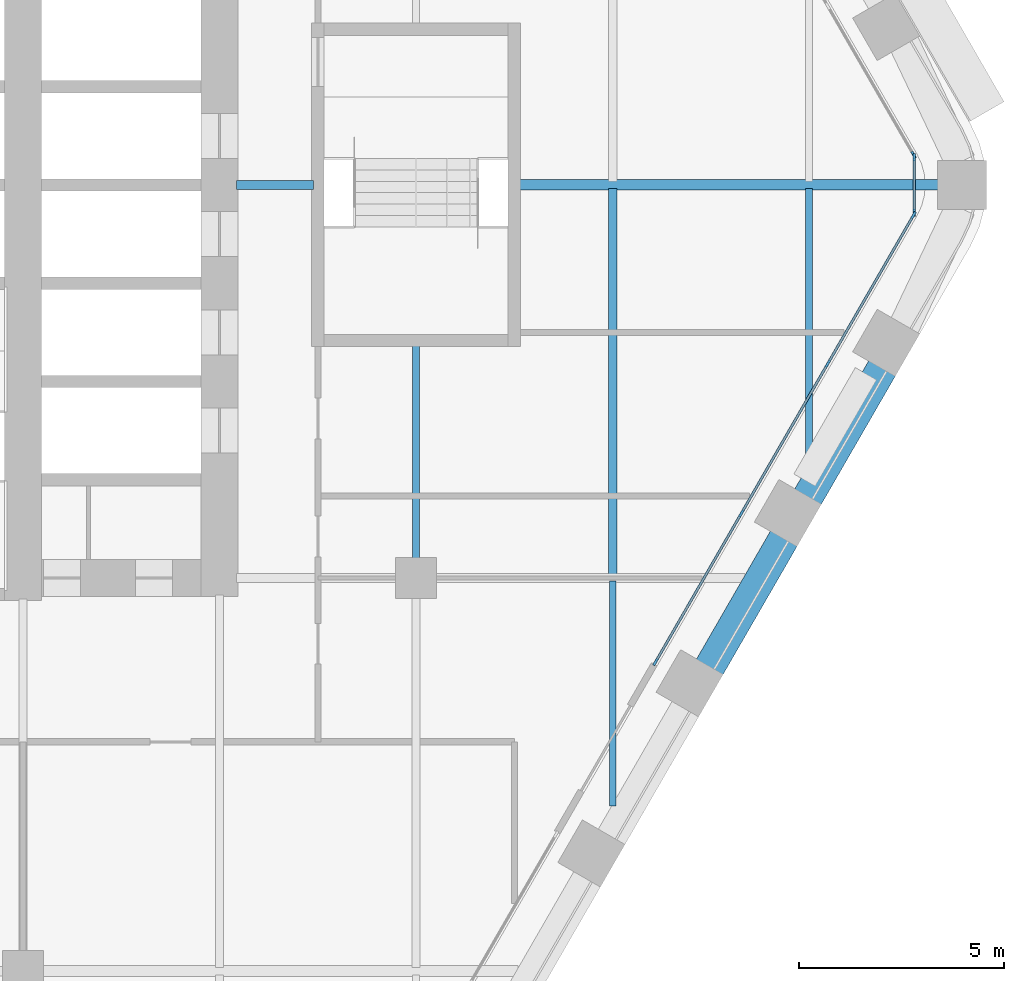
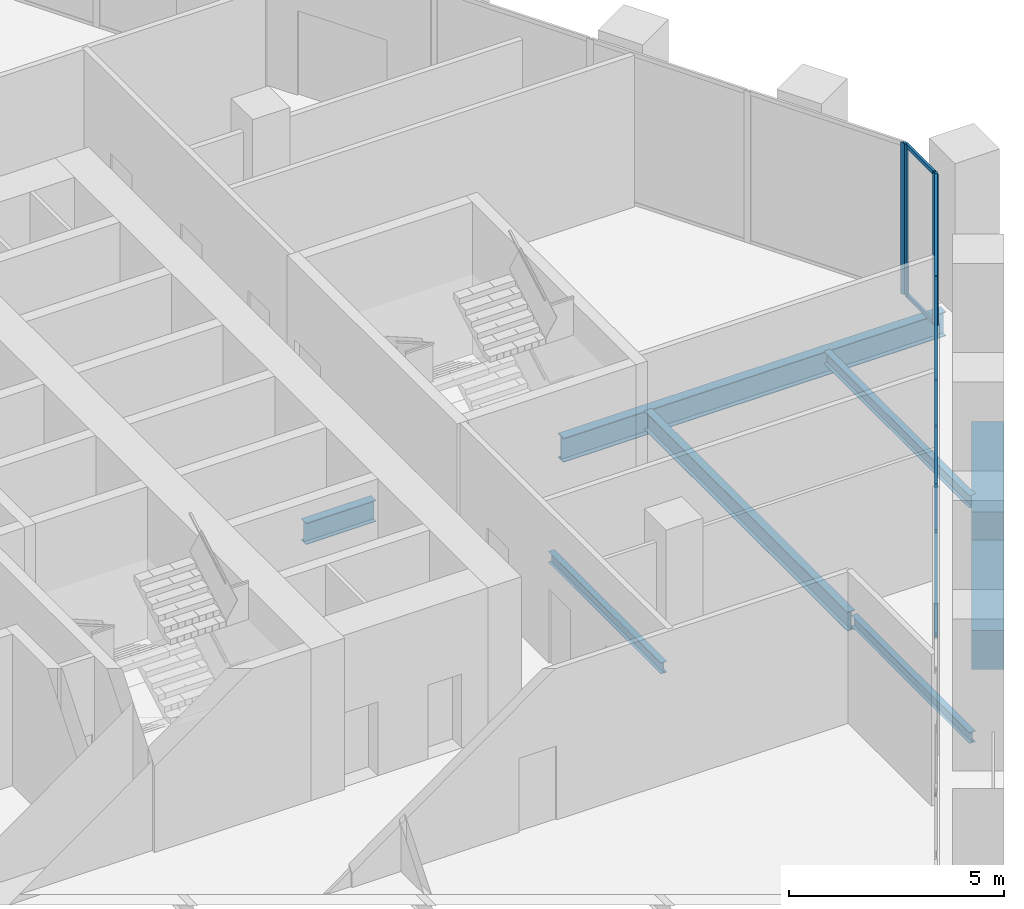
# One storey, part 5 of 23: 15 members, 8 beams, 3 elements without a shape of their own.
"""IFC4 building model written with IfcOpenShell, lengths in metres."""

from ifc_helpers import new_model, si_unit, direction, frame, origin, origin_2d, place, context, subcontext, project, spatial, rectangle, i_section, extrude, material, material_profile, profile_set, type_object, element, aggregate, save


model = new_model("IFC4")

# Units and contexts
model_context = context("Model", 3, precision=1e-05, world=origin(), true_north=direction((0.0, 1.0)))
body_context = subcontext(model_context, "Body", "Model", "MODEL_VIEW")
ifc_project = project(units=[si_unit("LENGTHUNIT", "METRE"), si_unit("AREAUNIT", "SQUARE_METRE"), si_unit("VOLUMEUNIT", "CUBIC_METRE"), si_unit("PLANEANGLEUNIT", "RADIAN"), si_unit("MASSUNIT", "GRAM", prefix="KILO")], contexts=[model_context])

# Site, building, storey
site_placement = place(None, origin())
site = spatial("IfcSite", under=ifc_project, at=site_placement, CompositionType="ELEMENT")
building_placement = place(site_placement, origin())
building = spatial("IfcBuilding", under=site, at=building_placement, Name="Kolab Exchange Tower", CompositionType="ELEMENT")
storey_placement = place(building_placement, frame((0.0, 0.0, 100.39990234375)))
storey = spatial("IfcBuildingStorey", under=building, at=storey_placement, Name="L19", CompositionType="ELEMENT", Elevation=100.39990234375)

# Beams
ifc_material_1 = material(Name="Steel S355", Category="steel")
ifc_material_profile_1 = material_profile(ifc_material_1, i_section(OverallWidth=0.1650390625, OverallDepth=0.31005859375, WebThickness=0.005859375, FlangeThickness=0.009765625, at=origin_2d()), Name="W310X39")
ifc_profile_set_1 = profile_set([ifc_material_profile_1], Name="Steel S355")
beam_type_1 = type_object("IfcBeamType", Name="FLOOR BEAM W310X39", PredefinedType="BEAM", material=ifc_profile_set_1)
beam_1_placement = place(storey_placement, frame((19.199951171875, -9.139892578125, -0.35498046875), z_axis=(0.0, 1.0, 0.0), x_axis=(-1.0, 0.0, 0.0)))
element("IfcBeam", 1, at=beam_1_placement, inside=storey, type_object=beam_type_1, Name="beam/L19/fr/042", PredefinedType="BEAM", context=body_context, shape_type="SweptSolid", body=[
    extrude(i_section(OverallWidth=0.1650390625, OverallDepth=0.31005859375, WebThickness=0.005859375, FlangeThickness=0.009765625, at=origin_2d()), origin(), (0.0, 0.0, 1.0), 5.22998046875),
])
beam_2_placement = place(storey_placement, frame((24.0, -15.167724609375, -0.35498046875), z_axis=(0.0, 1.0, 0.0), x_axis=(-1.0, 0.0, 0.0)))
element("IfcBeam", 2, at=beam_2_placement, inside=storey, type_object=beam_type_1, Name="beam/L19/fr/046", PredefinedType="BEAM", context=body_context, shape_type="SweptSolid", body=[
    extrude(i_section(OverallWidth=0.1650390625, OverallDepth=0.31005859375, WebThickness=0.005859375, FlangeThickness=0.009765625, at=origin_2d()), origin(), (0.0, 0.0, 1.0), 5.49365234375),
])
ifc_material_profile_2 = material_profile(ifc_material_1, i_section(OverallWidth=0.1708984375, OverallDepth=0.35498046875, WebThickness=0.007080078125, FlangeThickness=0.01171875, at=origin_2d()), Name="W360X51")
ifc_profile_set_2 = profile_set([ifc_material_profile_2], Name="Steel S355")
beam_type_2 = type_object("IfcBeamType", Name="FLOOR BEAM W360X51", PredefinedType="BEAM", material=ifc_profile_set_2)
beam_3_placement = place(storey_placement, frame((28.800048828125, -6.853759765625, -0.37744140625), z_axis=(0.0, 1.0, 0.0), x_axis=(-1.0, 0.0, 0.0)))
element("IfcBeam", 3, at=beam_3_placement, inside=storey, type_object=beam_type_2, Name="beam/L19/fr/050", PredefinedType="BEAM", context=body_context, shape_type="SweptSolid", body=[
    extrude(i_section(OverallWidth=0.1708984375, OverallDepth=0.35498046875, WebThickness=0.007080078125, FlangeThickness=0.01171875, at=origin_2d()), origin(), (0.0, 0.0, 1.0), 6.766845703125),
])
ifc_material_profile_3 = material_profile(ifc_material_1, i_section(OverallWidth=0.208984375, OverallDepth=0.532958984375, WebThickness=0.01025390625, FlangeThickness=0.015625, at=origin_2d()), Name="W530X92")
ifc_profile_set_3 = profile_set([ifc_material_profile_3], Name="Steel S355")
beam_type_3 = type_object("IfcBeamType", Name="FLOOR BEAM W530X92", PredefinedType="BEAM", material=ifc_profile_set_3)
beam_4_placement = place(storey_placement, frame((24.0, -9.52587890625, -0.46630859375), z_axis=(0.0, 1.0, 0.0), x_axis=(-1.0, 0.0, 0.0)))
element("IfcBeam", 4, at=beam_4_placement, inside=storey, type_object=beam_type_3, Name="beam/L19/fr/047", PredefinedType="BEAM", context=body_context, shape_type="SweptSolid", body=[
    extrude(i_section(OverallWidth=0.208984375, OverallDepth=0.532958984375, WebThickness=0.01025390625, FlangeThickness=0.015625, at=origin_2d()), origin(), (0.0, 0.0, 1.0), 9.43896484375),
])
ifc_material_profile_4 = material_profile(ifc_material_1, i_section(OverallWidth=0.22802734375, OverallDepth=0.60791015625, WebThickness=0.01123046875, FlangeThickness=0.017333984375, at=origin_2d()), Name="W610X113")
ifc_profile_set_4 = profile_set([ifc_material_profile_4], Name="Steel S355")
beam_type_4 = type_object("IfcBeamType", Name="FLOOR GIRDER W610X113", PredefinedType="BEAM", material=ifc_profile_set_4)
beam_5_placement = place(storey_placement, frame((14.81005859375, 0.0, -0.50390625), z_axis=(1.0, 0.0, 0.0), x_axis=(0.0, 1.0, 0.0)))
element("IfcBeam", 5, at=beam_5_placement, inside=storey, type_object=beam_type_4, Name="beam/L19/gd/015", PredefinedType="BEAM", context=body_context, shape_type="SweptSolid", body=[
    extrude(i_section(OverallWidth=0.22802734375, OverallDepth=0.60791015625, WebThickness=0.01123046875, FlangeThickness=0.017333984375, at=origin_2d()), origin(), (0.0, 0.0, 1.0), 1.8798828125),
])
ifc_material_profile_5 = material_profile(ifc_material_1, i_section(OverallWidth=0.25390625, OverallDepth=0.68408203125, WebThickness=0.012451171875, FlangeThickness=0.018798828125, at=origin_2d()), Name="W690X140")
ifc_profile_set_5 = profile_set([ifc_material_profile_5], Name="Steel S355")
beam_type_5 = type_object("IfcBeamType", Name="FLOOR GIRDER W690X140", PredefinedType="BEAM", material=ifc_profile_set_5)
beam_6_placement = place(storey_placement, frame((21.7099609375, 0.0, -0.5419921875), z_axis=(1.0, 0.0, 0.0), x_axis=(0.0, 1.0, 0.0)))
element("IfcBeam", 6, at=beam_6_placement, inside=storey, type_object=beam_type_5, Name="beam/L19/gd/019", PredefinedType="BEAM", context=body_context, shape_type="SweptSolid", body=[
    extrude(i_section(OverallWidth=0.25390625, OverallDepth=0.68408203125, WebThickness=0.012451171875, FlangeThickness=0.018798828125, at=origin_2d()), origin(), (0.0, 0.0, 1.0), 10.265869140625),
])
ifc_material_2 = material(Name="Concrete C70/85", Category="concrete")
ifc_material_profile_6 = material_profile(ifc_material_2, rectangle(XDim=0.75, YDim=1.10009765625, at=origin_2d()), Name="RC750X1100")
ifc_profile_set_6 = profile_set([ifc_material_profile_6], Name="Concrete C70/85")
beam_type_6 = type_object("IfcBeamType", Name="SPANDREL BEAM 750X1100 C70/85", PredefinedType="BEAM", material=ifc_profile_set_6)
for number, where, z_axis, x_axis, name in (
    (7, (30.59521484375, -4.454345703125, -0.75), (-0.500013413428, -0.866017659399, 0.0), (0.866017659399, -0.500013413428, 0.0), "beam/L19/sp/F3-02"),
    (8, (28.1953125, -8.611328125, -0.75), (-0.500013413428, -0.866017659399, 0.0), (0.866017659399, -0.500013413428, 0.0), "beam/L19/sp/F3-03"),
):
    element("IfcBeam", number, at=place(storey_placement, frame(where, z_axis=z_axis, x_axis=x_axis)), inside=storey, type_object=beam_type_6, Name=name, PredefinedType="BEAM", context=body_context, shape_type="SweptSolid", body=[
        extrude(rectangle(XDim=0.75, YDim=1.10009765625, at=origin_2d()), origin(), (0.0, 0.0, 1.0), 3.68017578125),
    ])

# Curtain wall, member
ifc_material_3 = material(Name="Aluminium EN AW-6063 T6", Category="aluminium")
curtain_wall_type = type_object("IfcCurtainWallType", Name="UNITISED LOWER MID ZONE CURTAIN WALL", PredefinedType="NOTDEFINED", material=ifc_material_3)
curtain_wall_1_placement = place(storey_placement, origin())
curtain_wall_1 = element("IfcCurtainWall", 9, at=curtain_wall_1_placement, inside=storey, type_object=curtain_wall_type, Name="cw/L19/F2-2", PredefinedType="NOTDEFINED")
ifc_material_profile_7 = material_profile(ifc_material_3, rectangle(XDim=0.06005859375, YDim=0.179931640625, at=origin_2d()), Name="RECT 60X180")
ifc_profile_set_7 = profile_set([ifc_material_profile_7], Name="Aluminium EN AW-6063 T6")
member_type_1 = type_object("IfcMemberType", Name="UNITISED LOWER MID ZONE MULLION 60 X 180", PredefinedType="MULLION", material=ifc_profile_set_7)
member_1_placement = place(storey_placement, frame((31.3505859375, 0.736083984375, 0.0), z_axis=(0.0, 0.0, 1.0), x_axis=(0.866025427826, 0.499999958358, 0.0)))
member_1 = element("IfcMember", 10, at=member_1_placement, type_object=member_type_1, Name="CW2 mullion 4", PredefinedType="MULLION", context=body_context, shape_type="SweptSolid", body=[
    extrude(rectangle(XDim=0.06005859375, YDim=0.179931640625, at=origin_2d()), origin(), (0.0, 0.0, 1.0), 4.300048828125),
])
aggregate(curtain_wall_1, [member_1])

# Curtain wall, members
curtain_wall_2_placement = place(storey_placement, origin())
curtain_wall_2 = element("IfcCurtainWall", 11, at=curtain_wall_2_placement, inside=storey, type_object=curtain_wall_type, Name="cw/L19/F3-1", PredefinedType="NOTDEFINED")
member_2_placement = place(storey_placement, frame((31.3505859375, -0.736083984375, 0.0), z_axis=(0.0, 0.0, 1.0), x_axis=(0.866025427826, -0.499999958358, 0.0)))
member_2 = element("IfcMember", 12, at=member_2_placement, type_object=member_type_1, Name="CW2 mullion 1", PredefinedType="MULLION", context=body_context, shape_type="SweptSolid", body=[
    extrude(rectangle(XDim=0.06005859375, YDim=0.179931640625, at=origin_2d()), origin(), (0.0, 0.0, 1.0), 4.300048828125),
])
member_3_placement = place(storey_placement, frame((29.25439453125, -4.366943359375, 0.0), z_axis=(0.0, 0.0, 1.0), x_axis=(0.866025427826, -0.499999958358, 0.0)))
member_3 = element("IfcMember", 13, at=member_3_placement, type_object=member_type_1, Name="CW2 mullion 2", PredefinedType="MULLION", context=body_context, shape_type="SweptSolid", body=[
    extrude(rectangle(XDim=0.06005859375, YDim=0.179931640625, at=origin_2d()), origin(), (0.0, 0.0, 1.0), 4.300048828125),
])
member_4_placement = place(storey_placement, frame((27.14306640625, -8.02392578125, 0.0), z_axis=(0.0, 0.0, 1.0), x_axis=(0.866025427826, -0.499999958358, 0.0)))
member_4 = element("IfcMember", 14, at=member_4_placement, type_object=member_type_1, Name="CW2 mullion 3", PredefinedType="MULLION", context=body_context, shape_type="SweptSolid", body=[
    extrude(rectangle(XDim=0.06005859375, YDim=0.179931640625, at=origin_2d()), origin(), (0.0, 0.0, 1.0), 4.300048828125),
])
member_5_placement = place(storey_placement, frame((25.046630859375, -11.65478515625, 0.0), z_axis=(0.0, 0.0, 1.0), x_axis=(0.866025427826, -0.499999958358, 0.0)))
member_5 = element("IfcMember", 15, at=member_5_placement, type_object=member_type_1, Name="CW2 mullion 4", PredefinedType="MULLION", context=body_context, shape_type="SweptSolid", body=[
    extrude(rectangle(XDim=0.06005859375, YDim=0.179931640625, at=origin_2d()), origin(), (0.0, 0.0, 1.0), 4.300048828125),
])

curtain_wall_3_placement = place(storey_placement, origin())
curtain_wall_3 = element("IfcCurtainWall", 16, at=curtain_wall_3_placement, inside=storey, type_object=curtain_wall_type, Name="cw/L19/F2F3-corner", PredefinedType="NOTDEFINED")
member_6_placement = place(storey_placement, frame((31.36572265625, 0.679931640625, 0.0), z_axis=(0.0, 0.0, 1.0), x_axis=(1.0, 0.0, 0.0)))
member_6 = element("IfcMember", 17, at=member_6_placement, type_object=member_type_1, Name="CW2 mullion 1", PredefinedType="MULLION", context=body_context, shape_type="SweptSolid", body=[
    extrude(rectangle(XDim=0.06005859375, YDim=0.179931640625, at=origin_2d()), origin(), (0.0, 0.0, 1.0), 4.300048828125),
])
member_7_placement = place(storey_placement, frame((31.36572265625, -0.679931640625, 0.0), z_axis=(0.0, 0.0, 1.0), x_axis=(1.0, 0.0, 0.0)))
member_7 = element("IfcMember", 18, at=member_7_placement, type_object=member_type_1, Name="CW2 mullion 2", PredefinedType="MULLION", context=body_context, shape_type="SweptSolid", body=[
    extrude(rectangle(XDim=0.06005859375, YDim=0.179931640625, at=origin_2d()), origin(), (0.0, 0.0, 1.0), 4.300048828125),
])

# Member
ifc_material_profile_8 = material_profile(ifc_material_3, rectangle(XDim=0.06005859375, YDim=0.1201171875, at=origin_2d()), Name="RECT 60X120")
ifc_profile_set_8 = profile_set([ifc_material_profile_8], Name="Aluminium EN AW-6063 T6")
member_type_2 = type_object("IfcMemberType", Name="UNITISED LOWER MID ZONE TRANSOM 60 X 120", PredefinedType="USERDEFINED", material=ifc_profile_set_8)
member_8_placement = place(storey_placement, frame((31.335693359375, -0.761962890625, 0.030029296875), z_axis=(-0.500027577057, -0.866009481578, 0.0), x_axis=(0.866009481578, -0.500027577057, 0.0)))
member_8 = element("IfcMember", 19, at=member_8_placement, type_object=member_type_2, Name="CW2 transom 1.1", ObjectType="TRANSOM", PredefinedType="USERDEFINED", context=body_context, shape_type="SweptSolid", body=[
    extrude(rectangle(XDim=0.06005859375, YDim=0.1201171875, at=origin_2d()), origin(), (0.0, 0.0, 1.0), 4.132568359375),
])

member_9_placement = place(storey_placement, frame((31.335693359375, -0.761962890625, 4.27001953125), z_axis=(-0.500027577057, -0.866009481578, 0.0), x_axis=(0.866009481578, -0.500027577057, 0.0)))
member_9 = element("IfcMember", 20, at=member_9_placement, type_object=member_type_2, Name="CW2 transom 1.2", ObjectType="TRANSOM", PredefinedType="USERDEFINED", context=body_context, shape_type="SweptSolid", body=[
    extrude(rectangle(XDim=0.06005859375, YDim=0.1201171875, at=origin_2d()), origin(), (0.0, 0.0, 1.0), 4.132568359375),
])

member_10_placement = place(storey_placement, frame((29.2392578125, -4.392822265625, 0.030029296875), z_axis=(-0.49999322259, -0.866029316688, 0.0), x_axis=(0.866029316688, -0.49999322259, 0.0)))
member_10 = element("IfcMember", 21, at=member_10_placement, type_object=member_type_2, Name="CW2 transom 2.1", ObjectType="TRANSOM", PredefinedType="USERDEFINED", context=body_context, shape_type="SweptSolid", body=[
    extrude(rectangle(XDim=0.06005859375, YDim=0.1201171875, at=origin_2d()), origin(), (0.0, 0.0, 1.0), 4.16259765625),
])

member_11_placement = place(storey_placement, frame((29.2392578125, -4.392822265625, 4.27001953125), z_axis=(-0.49999322259, -0.866029316688, 0.0), x_axis=(0.866029316688, -0.49999322259, 0.0)))
member_11 = element("IfcMember", 22, at=member_11_placement, type_object=member_type_2, Name="CW2 transom 2.2", ObjectType="TRANSOM", PredefinedType="USERDEFINED", context=body_context, shape_type="SweptSolid", body=[
    extrude(rectangle(XDim=0.06005859375, YDim=0.1201171875, at=origin_2d()), origin(), (0.0, 0.0, 1.0), 4.16259765625),
])

member_12_placement = place(storey_placement, frame((27.1279296875, -8.0498046875, 0.030029296875), z_axis=(-0.499957688808, -0.866049830784, 0.0), x_axis=(0.866049830784, -0.499957688808, 0.0)))
member_12 = element("IfcMember", 23, at=member_12_placement, type_object=member_type_2, Name="CW2 transom 3.1", ObjectType="TRANSOM", PredefinedType="USERDEFINED", context=body_context, shape_type="SweptSolid", body=[
    extrude(rectangle(XDim=0.06005859375, YDim=0.1201171875, at=origin_2d()), origin(), (0.0, 0.0, 1.0), 4.132568359375),
])

member_13_placement = place(storey_placement, frame((27.1279296875, -8.0498046875, 4.27001953125), z_axis=(-0.499957688808, -0.866049830784, 0.0), x_axis=(0.866049830784, -0.499957688808, 0.0)))
member_13 = element("IfcMember", 24, at=member_13_placement, type_object=member_type_2, Name="CW2 transom 3.2", ObjectType="TRANSOM", PredefinedType="USERDEFINED", context=body_context, shape_type="SweptSolid", body=[
    extrude(rectangle(XDim=0.06005859375, YDim=0.1201171875, at=origin_2d()), origin(), (0.0, 0.0, 1.0), 4.132568359375),
])

aggregate(curtain_wall_2, [member_2, member_3, member_4, member_5, member_8, member_9, member_10, member_11, member_12, member_13])

member_14_placement = place(storey_placement, frame((31.36572265625, 0.64990234375, 0.030029296875), z_axis=(0.0, -1.0, 0.0), x_axis=(1.0, 0.0, 0.0)))
member_14 = element("IfcMember", 25, at=member_14_placement, type_object=member_type_2, Name="CW2 transom 1.1", ObjectType="TRANSOM", PredefinedType="USERDEFINED", context=body_context, shape_type="SweptSolid", body=[
    extrude(rectangle(XDim=0.06005859375, YDim=0.1201171875, at=origin_2d()), origin(), (0.0, 0.0, 1.0), 1.2998046875),
])

member_15_placement = place(storey_placement, frame((31.36572265625, 0.64990234375, 4.27001953125), z_axis=(0.0, -1.0, 0.0), x_axis=(1.0, 0.0, 0.0)))
member_15 = element("IfcMember", 26, at=member_15_placement, type_object=member_type_2, Name="CW2 transom 1.2", ObjectType="TRANSOM", PredefinedType="USERDEFINED", context=body_context, shape_type="SweptSolid", body=[
    extrude(rectangle(XDim=0.06005859375, YDim=0.1201171875, at=origin_2d()), origin(), (0.0, 0.0, 1.0), 1.2998046875),
])

aggregate(curtain_wall_3, [member_6, member_7, member_14, member_15])

save(model, "model.ifc")
